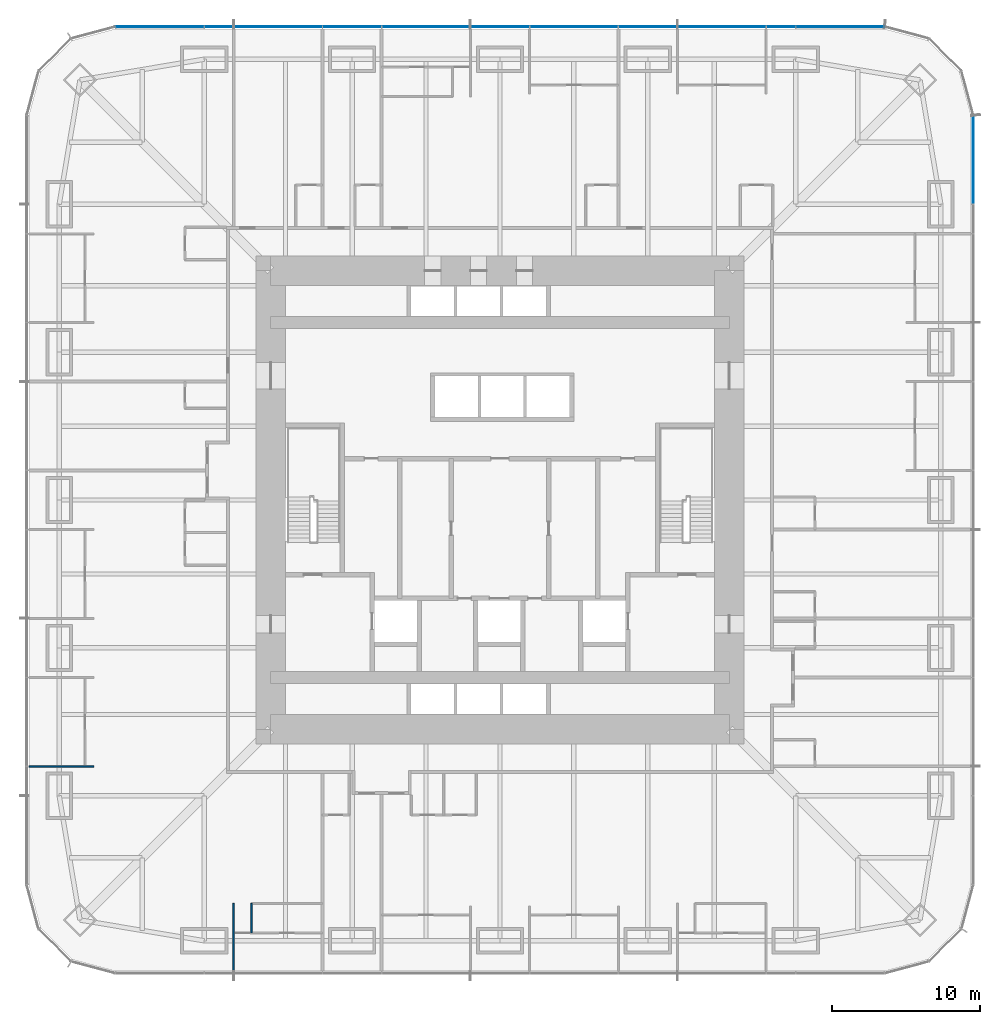
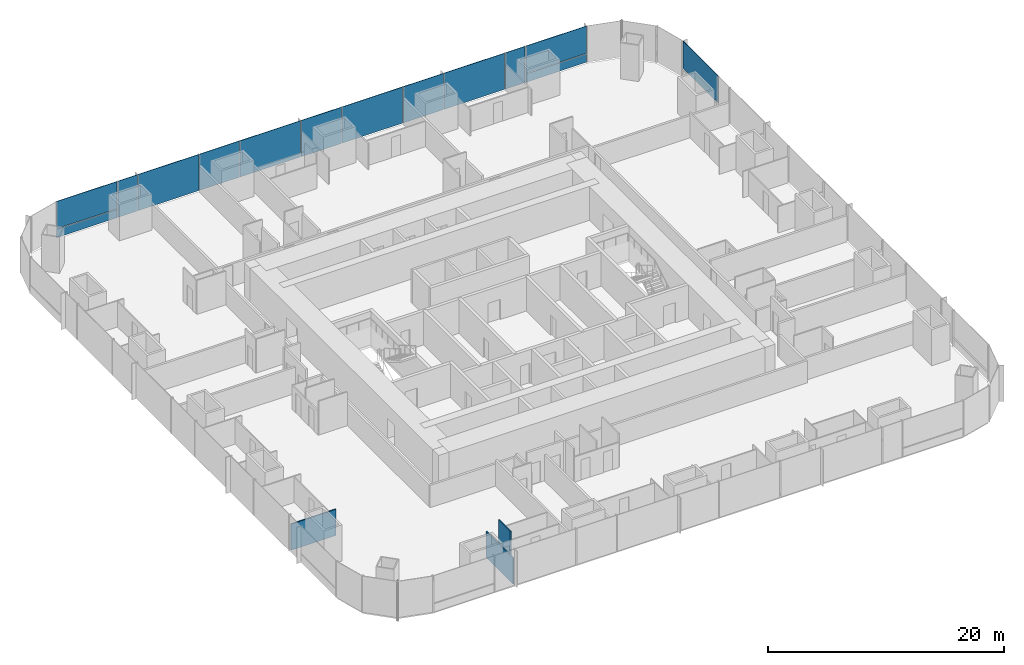
# One storey, part 14 of 20: 14 plates, 3 walls, 2 elements without a shape of their own.
"""IFC4 building model written with IfcOpenShell, lengths in metres."""

import ifcopenshell
import ifcopenshell.guid

model = None  # the IFC model being written
_history = None  # IfcOwnerHistory: only IFC2X3 demands one
_inside = {}  # id of a spatial element -> (the spatial element, [elements in it])
_under = {}  # id of a project, library or spatial element -> (it, [spatial elements below it])
_declared = {}  # id of a project -> (the project, [libraries it declares])
_typed = {}  # id of a type object -> (the type object, [elements of that type])
_made_of = {}  # id of a material, layer set ... -> (it, [elements and type objects made of it])


def new_model(schema):
    """Start an empty IFC model of exactly this schema.

    Asked for "IFC4X3", IfcOpenShell would pick the latest addendum, in which some entities
    have other attributes; the version numbers below select the first issue.
    IFC2X3 requires an IfcOwnerHistory on every rooted entity: one is made here for all.
    """
    global model, _history
    if schema == "IFC4X3":
        model = ifcopenshell.file(schema_version=(4, 3, 0, 0))
    else:
        model = ifcopenshell.file(schema=schema)
    _inside.clear()
    _under.clear()
    _declared.clear()
    _typed.clear()
    _made_of.clear()
    _history = None
    if model.schema == "IFC2X3":
        org = make("IfcOrganization", Name="unknown")
        user = make(
            "IfcPersonAndOrganization",
            ThePerson=make("IfcPerson", FamilyName="unknown"),
            TheOrganization=org,
        )
        app = make(
            "IfcApplication",
            ApplicationDeveloper=org,
            Version="unknown",
            ApplicationFullName="unknown",
            ApplicationIdentifier="unknown",
        )
        _history = make(
            "IfcOwnerHistory",
            OwningUser=user,
            OwningApplication=app,
            ChangeAction="ADDED",
            CreationDate=0,
        )
    return model


def make(cls, **values):
    """One entity of the class cls with the attributes given. An attribute that is None is left unset."""
    return model.create_entity(
        cls, **{name: value for name, value in values.items() if value is not None}
    )


def rooted(cls, **values):
    """An entity with a GlobalId (a new one), such as an element, a storey or a relation."""
    return make(cls, GlobalId=ifcopenshell.guid.new(), OwnerHistory=_history, **values)


def si_unit(unit_type, name, prefix=None):
    """IfcSIUnit, for example si_unit("LENGTHUNIT", "METRE", prefix="MILLI")."""
    return make("IfcSIUnit", UnitType=unit_type, Prefix=prefix, Name=name)


def assignment(units):
    """IfcUnitAssignment: the units of a project."""
    return None if units is None else make("IfcUnitAssignment", Units=units)


def point(xyz):
    """IfcCartesianPoint."""
    return None if xyz is None else make("IfcCartesianPoint", Coordinates=xyz)


def direction(xyz):
    """IfcDirection."""
    return None if xyz is None else make("IfcDirection", DirectionRatios=xyz)


def frame(location, z_axis=None, x_axis=None):
    """IfcAxis2Placement3D, a coordinate frame: its origin and axes. An axis left out is left unset."""
    return make(
        "IfcAxis2Placement3D",
        Location=point(location),
        Axis=direction(z_axis),
        RefDirection=direction(x_axis),
    )


def frame_2d(location, x_axis=None):
    """IfcAxis2Placement2D, a coordinate frame in the plane: its origin and x axis."""
    return make(
        "IfcAxis2Placement2D", Location=point(location), RefDirection=direction(x_axis)
    )


def origin():
    """The frame at (0, 0, 0) with its axes left unset."""
    return frame((0.0, 0.0, 0.0))


def origin_2d():
    """The frame at (0, 0) in the plane with its x axis left unset."""
    return frame_2d((0.0, 0.0))


def place(relative_to, where):
    """IfcLocalPlacement: puts the frame where relative to a parent placement (None: the world)."""
    return make(
        "IfcLocalPlacement", PlacementRelTo=relative_to, RelativePlacement=where
    )


def context(
    kind, dimensions, precision=None, world=None, true_north=None, identifier=None
):
    """IfcGeometricRepresentationContext, for example the 3D "Model" context."""
    return make(
        "IfcGeometricRepresentationContext",
        ContextIdentifier=identifier,
        ContextType=kind,
        CoordinateSpaceDimension=dimensions,
        Precision=precision,
        WorldCoordinateSystem=world,
        TrueNorth=true_north,
    )


def subcontext(parent, identifier, kind, view, scale=None):
    """IfcGeometricRepresentationSubContext, for example "Body" below "Model"."""
    return make(
        "IfcGeometricRepresentationSubContext",
        ContextIdentifier=identifier,
        ContextType=kind,
        ParentContext=parent,
        TargetScale=scale,
        TargetView=view,
    )


def project(units=None, contexts=None):
    """IfcProject with its units and contexts."""
    return rooted(
        "IfcProject",
        Name="project",
        RepresentationContexts=contexts,
        UnitsInContext=assignment(units),
    )


def spatial(cls, under=None, at=None, **own):
    """A site, building, storey or space (cls), placed at a placement, below another one or the project."""
    s = rooted(cls, ObjectPlacement=at, **own)
    if under is not None:
        _under.setdefault(under.id(), (under, []))[1].append(s)
    return s


def profile(cls, at=None, kind="AREA", **sizes):
    """A parametric profile (cls). Its sizes go by their IFC names, for example OverallWidth=200.0."""
    return make(cls, ProfileType=kind, Position=at, **sizes)


def rectangle(**sizes):
    """IfcRectangleProfileDef."""
    return profile("IfcRectangleProfileDef", **sizes)


def extrude(swept, where, along, depth):
    """IfcExtrudedAreaSolid: the profile swept, set in the frame where, extruded along a direction by depth."""
    return make(
        "IfcExtrudedAreaSolid",
        SweptArea=swept,
        Position=where,
        ExtrudedDirection=direction(along),
        Depth=depth,
    )


def shape(context_of_items, identifier, shape_type, items):
    """IfcShapeRepresentation: the items that make up one representation, for example the "Body"."""
    return make(
        "IfcShapeRepresentation",
        ContextOfItems=context_of_items,
        RepresentationIdentifier=identifier,
        RepresentationType=shape_type,
        Items=items,
    )


def material(Name=None, Category=None):
    """IfcMaterial."""
    return make("IfcMaterial", Name=Name, Category=Category)


def layer(
    of_material, thickness, ventilated=None, Name=None, Category=None, Priority=None
):
    """IfcMaterialLayer: one layer of a wall or slab, of a material (None: an air gap)."""
    return make(
        "IfcMaterialLayer",
        Material=of_material,
        LayerThickness=thickness,
        IsVentilated=ventilated,
        Name=Name,
        Category=Category,
        Priority=Priority,
    )


def layer_set(layers, Name=None):
    """IfcMaterialLayerSet."""
    return make("IfcMaterialLayerSet", MaterialLayers=layers, LayerSetName=Name)


def made_of(thing, what):
    """Note that an element or type object is made of a material, layer set ...; save() writes the relation."""
    if what is not None:
        _made_of.setdefault(what.id(), (what, []))[1].append(thing)
    return thing


def type_object(cls, material=None, **own):
    """A type object (cls), such as IfcWallType, which elements share."""
    return made_of(rooted(cls, **own), material)


def element(
    cls,
    number,
    at=None,
    inside=None,
    cuts=None,
    type_object=None,
    material=None,
    context=None,
    identifier="Body",
    shape_type=None,
    held_by="IfcProductDefinitionShape",
    body=None,
    shapes=None,
    **own,
):
    """One element of the class cls, such as IfcWall. Its Tag is "e" and its number.

    at: its placement. inside: the storey or other place that contains it. cuts: it is an
    opening in that element (IfcRelVoidsElement). A single representation is given by context,
    identifier, shape_type and body (its items); several are given by shapes. held_by: the class
    of the entity that holds the representations. save() writes the other relations.
    """
    e = rooted(cls, Tag="e%d" % number, ObjectPlacement=at, **own)
    if body is not None:
        shapes = [shape(context, identifier, shape_type, body)]
    if shapes is not None:
        e.Representation = make(held_by, Representations=shapes)
    if inside is not None:
        _inside.setdefault(inside.id(), (inside, []))[1].append(e)
    if cuts is not None:
        rooted(
            "IfcRelVoidsElement", RelatingBuildingElement=cuts, RelatedOpeningElement=e
        )
    if type_object is not None:
        _typed.setdefault(type_object.id(), (type_object, []))[1].append(e)
    return made_of(e, material)


def aggregate(whole, parts):
    """IfcRelAggregates: a whole, such as a stair, and the parts it consists of."""
    return rooted("IfcRelAggregates", RelatingObject=whole, RelatedObjects=parts)


def save(model, path):
    """Write the relations noted so far, then the file.

    IfcRelAggregates (storeys below a building ...), IfcRelContainedInSpatialStructure (elements
    in a storey), IfcRelDefinesByType, IfcRelAssociatesMaterial and IfcRelDeclares: one each for
    every whole, place, type object, material and project.
    """
    for whole, parts in _under.values():
        aggregate(whole, parts)
    for where, things in _inside.values():
        rooted(
            "IfcRelContainedInSpatialStructure",
            RelatedElements=things,
            RelatingStructure=where,
        )
    for kind, things in _typed.values():
        rooted("IfcRelDefinesByType", RelatedObjects=things, RelatingType=kind)
    for what, things in _made_of.values():
        rooted("IfcRelAssociatesMaterial", RelatedObjects=things, RelatingMaterial=what)
    for by, libraries in _declared.values():
        rooted("IfcRelDeclares", RelatingContext=by, RelatedDefinitions=libraries)
    model.write(path)


model = new_model("IFC4")

# Units and contexts
model_context = context("Model", 3, precision=1e-05, world=origin(), true_north=direction((0.0, 1.0)))
body_context = subcontext(model_context, "Body", "Model", "MODEL_VIEW")
ifc_project = project(units=[si_unit("LENGTHUNIT", "METRE"), si_unit("AREAUNIT", "SQUARE_METRE"), si_unit("VOLUMEUNIT", "CUBIC_METRE"), si_unit("PLANEANGLEUNIT", "RADIAN"), si_unit("MASSUNIT", "GRAM", prefix="KILO")], contexts=[model_context])

# Site, building, storey
site_placement = place(None, origin())
site = spatial("IfcSite", under=ifc_project, at=site_placement, CompositionType="ELEMENT")
building_placement = place(site_placement, origin())
building = spatial("IfcBuilding", under=site, at=building_placement, Name="Khuree Lantern Residences", CompositionType="ELEMENT")
storey_placement = place(building_placement, frame((0.0, 0.0, 32.25)))
storey = spatial("IfcBuildingStorey", under=building, at=storey_placement, Name="L07", CompositionType="ELEMENT", Elevation=32.25)

# Curtain wall, plates
ifc_material_1 = material(Name="Bronze anodised aluminium", Category="aluminium")
curtain_wall_type = type_object("IfcCurtainWallType", Name="CW-T1 TOWER FACE CURTAIN WALL", PredefinedType="USERDEFINED", material=ifc_material_1)
curtain_wall_1_placement = place(storey_placement, origin())
curtain_wall_1 = element("IfcCurtainWall", 1, at=curtain_wall_1_placement, inside=storey, type_object=curtain_wall_type, Name="L07 NORTH FACE CURTAIN WALL", ObjectType="Stick-built curtain wall", PredefinedType="USERDEFINED")
ifc_material_2 = material(Name="Bronze tinted triple glazing with a ceramic-fritted spandrel band", Category="glass")
ifc_layer_1 = layer(ifc_material_2, 0.048095703125)
ifc_layer_set_1 = layer_set([ifc_layer_1], Name="FIXED LIGHT PANEL P11")
plate_type_1 = type_object("IfcPlateType", Name="FIXED LIGHT PANEL P11", PredefinedType="CURTAIN_PANEL", material=ifc_layer_set_1)
plate_1_placement = place(storey_placement, frame((15.0, 32.0, 0.0), z_axis=(0.0, 0.0, 1.0), x_axis=(-1.0, 0.0, 0.0)))
plate_1 = element("IfcPlate", 2, at=plate_1_placement, type_object=plate_type_1, Name="L07 NORTH FACE PANEL 20.1", PredefinedType="CURTAIN_PANEL", context=body_context, shape_type="SweptSolid", body=[
    extrude(rectangle(XDim=5.93505859375, YDim=0.048095703125, at=origin_2d()), origin(), (0.0, 0.0, 1.0), 3.75),
])
plate_2_placement = place(storey_placement, frame((5.0, 32.0, 0.0), z_axis=(0.0, 0.0, 1.0), x_axis=(-1.0, 0.0, 0.0)))
plate_2 = element("IfcPlate", 3, at=plate_2_placement, type_object=plate_type_1, Name="L07 NORTH FACE PANEL 22.1", PredefinedType="CURTAIN_PANEL", context=body_context, shape_type="SweptSolid", body=[
    extrude(rectangle(XDim=5.93505859375, YDim=0.048095703125, at=origin_2d()), origin(), (0.0, 0.0, 1.0), 3.75),
])
plate_3_placement = place(storey_placement, frame((-5.0, 32.0, 0.0), z_axis=(0.0, 0.0, 1.0), x_axis=(-1.0, 0.0, 0.0)))
plate_3 = element("IfcPlate", 4, at=plate_3_placement, type_object=plate_type_1, Name="L07 NORTH FACE PANEL 24.1", PredefinedType="CURTAIN_PANEL", context=body_context, shape_type="SweptSolid", body=[
    extrude(rectangle(XDim=5.93505859375, YDim=0.048095703125, at=origin_2d()), origin(), (0.0, 0.0, 1.0), 3.75),
])
plate_4_placement = place(storey_placement, frame((-15.0, 32.0, 0.0), z_axis=(0.0, 0.0, 1.0), x_axis=(-1.0, 0.0, 0.0)))
plate_4 = element("IfcPlate", 5, at=plate_4_placement, type_object=plate_type_1, Name="L07 NORTH FACE PANEL 26.1", PredefinedType="CURTAIN_PANEL", context=body_context, shape_type="SweptSolid", body=[
    extrude(rectangle(XDim=5.93505859375, YDim=0.048095703125, at=origin_2d()), origin(), (0.0, 0.0, 1.0), 3.75),
])
ifc_material_3 = material(Name="Bronze tinted triple glazing, two aluminium-framed sashes in one frame", Category="aluminium")
ifc_layer_2 = layer(ifc_material_3, 0.048095703125)
ifc_layer_set_2 = layer_set([ifc_layer_2], Name="SASH PAIR PANEL P12")
plate_type_2 = type_object("IfcPlateType", Name="SASH PAIR PANEL P12", PredefinedType="CURTAIN_PANEL", material=ifc_layer_set_2)
plate_5_placement = place(storey_placement, frame((10.0, 32.0, 0.0), z_axis=(0.0, 0.0, 1.0), x_axis=(-1.0, 0.0, 0.0)))
plate_5 = element("IfcPlate", 6, at=plate_5_placement, type_object=plate_type_2, Name="L07 NORTH FACE PANEL 21.1", PredefinedType="CURTAIN_PANEL", context=body_context, shape_type="SweptSolid", body=[
    extrude(rectangle(XDim=3.93505859375, YDim=0.048095703125, at=origin_2d()), origin(), (0.0, 0.0, 1.0), 3.75),
])
plate_6_placement = place(storey_placement, frame((0.0, 32.0, 0.0), z_axis=(0.0, 0.0, 1.0), x_axis=(-1.0, 0.0, 0.0)))
plate_6 = element("IfcPlate", 7, at=plate_6_placement, type_object=plate_type_2, Name="L07 NORTH FACE PANEL 23.1", PredefinedType="CURTAIN_PANEL", context=body_context, shape_type="SweptSolid", body=[
    extrude(rectangle(XDim=3.93505859375, YDim=0.048095703125, at=origin_2d()), origin(), (0.0, 0.0, 1.0), 3.75),
])
plate_7_placement = place(storey_placement, frame((-10.0, 32.0, 0.0), z_axis=(0.0, 0.0, 1.0), x_axis=(-1.0, 0.0, 0.0)))
plate_7 = element("IfcPlate", 8, at=plate_7_placement, type_object=plate_type_2, Name="L07 NORTH FACE PANEL 25.1", PredefinedType="CURTAIN_PANEL", context=body_context, shape_type="SweptSolid", body=[
    extrude(rectangle(XDim=3.93505859375, YDim=0.048095703125, at=origin_2d()), origin(), (0.0, 0.0, 1.0), 3.75),
])
ifc_material_4 = material(Name="Bronze tinted triple glazing, aluminium-framed sash", Category="aluminium")
ifc_layer_3 = layer(ifc_material_4, 0.048095703125)
ifc_layer_set_3 = layer_set([ifc_layer_3], Name="SASH PANEL P3")
plate_type_3 = type_object("IfcPlateType", Name="SASH PANEL P3", PredefinedType="CURTAIN_PANEL", material=ifc_layer_set_3)
plate_8_placement = place(storey_placement, frame((19.0, 32.0, 0.0), z_axis=(0.0, 0.0, 1.0), x_axis=(-1.0, 0.0, 0.0)))
plate_8 = element("IfcPlate", 9, at=plate_8_placement, type_object=plate_type_3, Name="L07 NORTH FACE PANEL 19.1", PredefinedType="CURTAIN_PANEL", context=body_context, shape_type="SweptSolid", body=[
    extrude(rectangle(XDim=1.93505859375, YDim=0.048095703125, at=origin_2d()), origin(), (0.0, 0.0, 1.0), 3.75),
])
plate_9_placement = place(storey_placement, frame((-19.0, 32.0, 0.0), z_axis=(0.0, 0.0, 1.0), x_axis=(-1.0, 0.0, 0.0)))
plate_9 = element("IfcPlate", 10, at=plate_9_placement, type_object=plate_type_3, Name="L07 NORTH FACE PANEL 27.1", PredefinedType="CURTAIN_PANEL", context=body_context, shape_type="SweptSolid", body=[
    extrude(rectangle(XDim=1.93505859375, YDim=0.048095703125, at=origin_2d()), origin(), (0.0, 0.0, 1.0), 3.75),
])
ifc_material_5 = material(Name="Bronze anodised aluminium insulated spandrel", Category="aluminium")
ifc_layer_4 = layer(ifc_material_5, 0.06005859375)
ifc_layer_set_4 = layer_set([ifc_layer_4], Name="SPANDREL PANEL P2")
plate_type_4 = type_object("IfcPlateType", Name="SPANDREL PANEL P2", PredefinedType="CURTAIN_PANEL", material=ifc_layer_set_4)
plate_10_placement = place(storey_placement, frame((22.997802734375, 32.0, 0.0), z_axis=(0.0, 0.0, 1.0), x_axis=(-1.0, 0.0, 0.0)))
plate_10 = element("IfcPlate", 11, at=plate_10_placement, type_object=plate_type_4, Name="L07 NORTH FACE PANEL 18.1", PredefinedType="CURTAIN_PANEL", context=body_context, shape_type="SweptSolid", body=[
    extrude(rectangle(XDim=5.9306640625, YDim=0.06005859375, at=origin_2d()), origin(), (0.0, 0.0, 1.0), 0.867431640625),
])
plate_11_placement = place(storey_placement, frame((-22.997802734375, 32.0, 0.0), z_axis=(0.0, 0.0, 1.0), x_axis=(-1.0, 0.0, 0.0)))
plate_11 = element("IfcPlate", 12, at=plate_11_placement, type_object=plate_type_4, Name="L07 NORTH FACE PANEL 28.1", PredefinedType="CURTAIN_PANEL", context=body_context, shape_type="SweptSolid", body=[
    extrude(rectangle(XDim=5.9306640625, YDim=0.06005859375, at=origin_2d()), origin(), (0.0, 0.0, 1.0), 0.867431640625),
])

# Curtain wall, plate
curtain_wall_2_placement = place(storey_placement, origin())
curtain_wall_2 = element("IfcCurtainWall", 13, at=curtain_wall_2_placement, inside=storey, type_object=curtain_wall_type, Name="L07 EAST FACE CURTAIN WALL", ObjectType="Stick-built curtain wall", PredefinedType="USERDEFINED")
ifc_material_6 = material(Name="Bronze tinted triple glazing", Category="glass")
ifc_layer_5 = layer(ifc_material_6, 0.048095703125)
ifc_layer_set_5 = layer_set([ifc_layer_5], Name="VISION PANEL P1")
plate_type_5 = type_object("IfcPlateType", Name="VISION PANEL P1", PredefinedType="CURTAIN_PANEL", material=ifc_layer_set_5)
plate_12_placement = place(storey_placement, frame((32.0, 22.998291015625, 0.9326171875), z_axis=(0.0, 0.0, 1.0), x_axis=(0.0, 1.0, 0.0)))
plate_12 = element("IfcPlate", 14, at=plate_12_placement, type_object=plate_type_5, Name="L07 EAST FACE PANEL 14.2", PredefinedType="CURTAIN_PANEL", context=body_context, shape_type="SweptSolid", body=[
    extrude(rectangle(XDim=5.931640625, YDim=0.048095703125, at=origin_2d()), origin(), (0.0, 0.0, 1.0), 2.8173828125),
])
aggregate(curtain_wall_2, [plate_12])

# Plate
plate_13_placement = place(storey_placement, frame((22.998291015625, 32.0, 0.9326171875), z_axis=(0.0, 0.0, 1.0), x_axis=(-1.0, 0.0, 0.0)))
plate_13 = element("IfcPlate", 15, at=plate_13_placement, type_object=plate_type_5, Name="L07 NORTH FACE PANEL 18.2", PredefinedType="CURTAIN_PANEL", context=body_context, shape_type="SweptSolid", body=[
    extrude(rectangle(XDim=5.931640625, YDim=0.048095703125, at=origin_2d()), origin(), (0.0, 0.0, 1.0), 2.8173828125),
])

plate_14_placement = place(storey_placement, frame((-22.998291015625, 32.0, 0.9326171875), z_axis=(0.0, 0.0, 1.0), x_axis=(-1.0, 0.0, 0.0)))
plate_14 = element("IfcPlate", 16, at=plate_14_placement, type_object=plate_type_5, Name="L07 NORTH FACE PANEL 28.2", PredefinedType="CURTAIN_PANEL", context=body_context, shape_type="SweptSolid", body=[
    extrude(rectangle(XDim=5.931640625, YDim=0.048095703125, at=origin_2d()), origin(), (0.0, 0.0, 1.0), 2.8173828125),
])

aggregate(curtain_wall_1, [plate_10, plate_13, plate_8, plate_1, plate_5, plate_2, plate_6, plate_3, plate_7, plate_4, plate_9, plate_11, plate_14])

# Walls
ifc_material_7 = material(Name="Gypsum board on steel studs", Category="steel")
ifc_layer_6 = layer(ifc_material_7, 0.10009765625)
ifc_layer_set_6 = layer_set([ifc_layer_6], Name="PARTITION PT100")
wall_type = type_object("IfcWallType", Name="PARTITION PT100", PredefinedType="PARTITIONING", material=ifc_layer_set_6)
wall_1_placement = place(storey_placement, frame((-27.449951171875, -18.0, 0.0), z_axis=(0.0, 0.0, 1.0), x_axis=(-1.0, 0.0, 0.0)))
element("IfcWall", 17, at=wall_1_placement, inside=storey, type_object=wall_type, Name="L07 PARTITION 09", PredefinedType="PARTITIONING", context=body_context, shape_type="SweptSolid", body=[
    extrude(rectangle(XDim=4.400146484375, YDim=0.10009765625, at=frame_2d((2.2001953125, 0.0))), origin(), (0.0, 0.0, 1.0), 2.7099609375),
])
wall_2_placement = place(storey_placement, frame((-18.0, -27.2666015625, 0.0), z_axis=(0.0, 0.0, 1.0), x_axis=(0.0, -1.0, 0.0)))
element("IfcWall", 18, at=wall_2_placement, inside=storey, type_object=wall_type, Name="L07 PARTITION 09", PredefinedType="PARTITIONING", context=body_context, shape_type="SweptSolid", body=[
    extrude(rectangle(XDim=4.58349609375, YDim=0.10009765625, at=frame_2d((2.291748046875, 0.0))), origin(), (0.0, 0.0, 1.0), 2.7099609375),
])
wall_3_placement = place(storey_placement, frame((-16.800048828125, -27.2666015625, 0.0), z_axis=(0.0, 0.0, 1.0), x_axis=(0.0, -1.0, 0.0)))
element("IfcWall", 19, at=wall_3_placement, inside=storey, type_object=wall_type, Name="L07 PARTITION 09", PredefinedType="PARTITIONING", context=body_context, shape_type="SweptSolid", body=[
    extrude(rectangle(XDim=2.0, YDim=0.10009765625, at=frame_2d((1.0, 0.0))), origin(), (0.0, 0.0, 1.0), 3.5),
])

save(model, "model.ifc")
